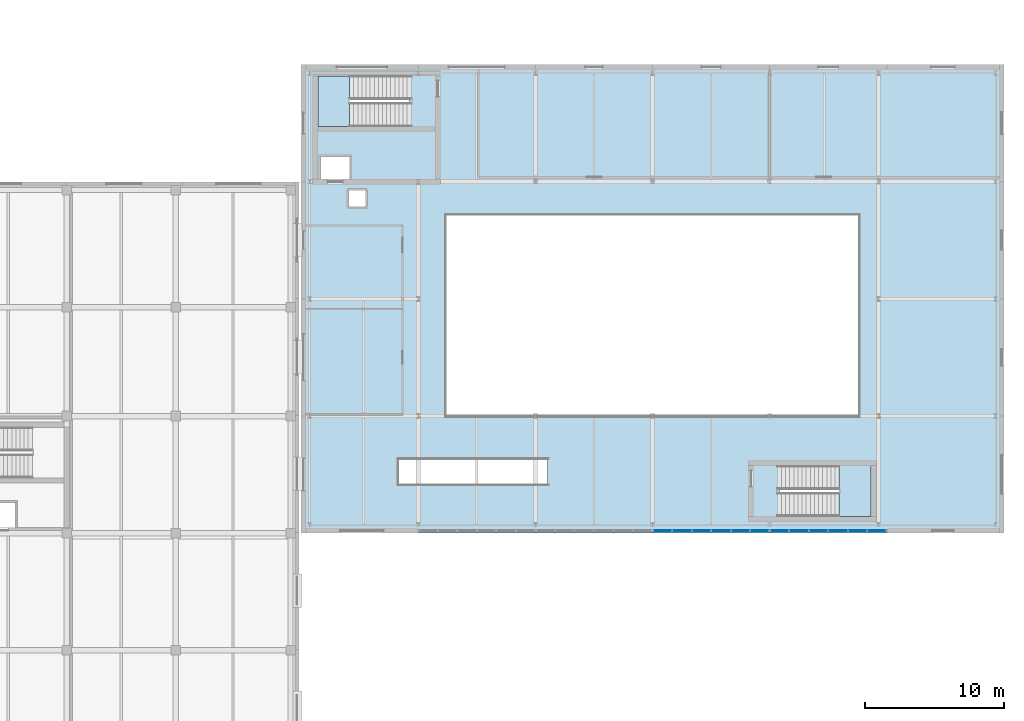
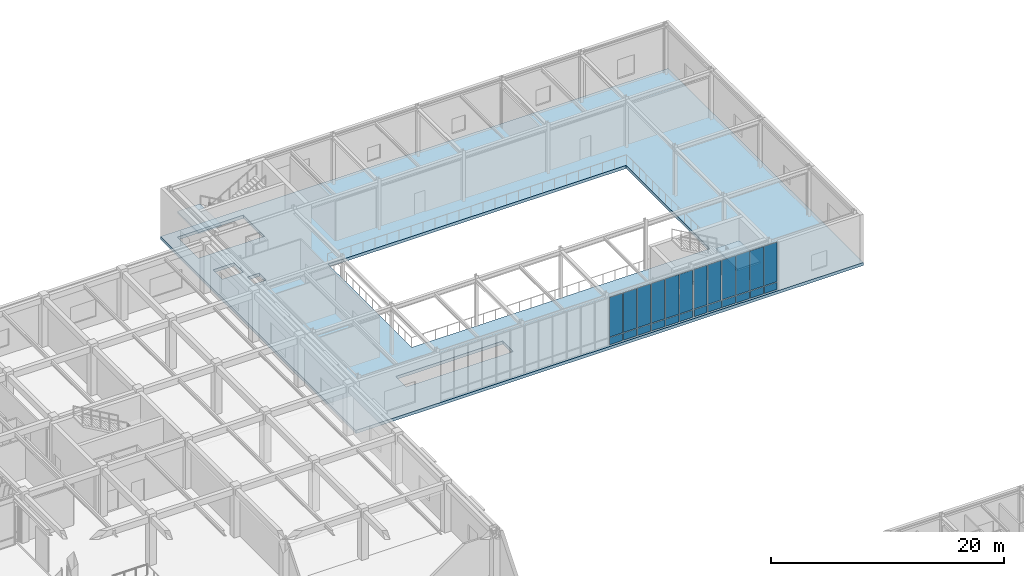
# One storey, part 100 of 139: 24 plates, 3 slabs, 4 elements without a shape of their own.
"""IFC4 building model written with IfcOpenShell, lengths in metres."""

from ifc_helpers import new_model, si_unit, direction, frame, origin, origin_2d, place, context, subcontext, project, spatial, polyline, rectangle, outline, extrude, material, layer, layer_set, type_object, element, aggregate, save


model = new_model("IFC4")

# Units and contexts
model_context = context("Model", 3, precision=1e-05, world=origin(), true_north=direction((0.0, 1.0)))
body_context = subcontext(model_context, "Body", "Model", "MODEL_VIEW")
ifc_project = project(units=[si_unit("LENGTHUNIT", "METRE"), si_unit("AREAUNIT", "SQUARE_METRE"), si_unit("VOLUMEUNIT", "CUBIC_METRE"), si_unit("PLANEANGLEUNIT", "RADIAN"), si_unit("MASSUNIT", "GRAM", prefix="KILO")], contexts=[model_context])

# Site, building, storey
site_placement = place(None, origin())
site = spatial("IfcSite", under=ifc_project, at=site_placement, CompositionType="ELEMENT")
building_placement = place(site_placement, origin())
building = spatial("IfcBuilding", under=site, at=building_placement, Name="Zayran Congress Hotel", CompositionType="ELEMENT")
storey_placement = place(building_placement, frame((0.0, 0.0, 5.39990234375)))
storey = spatial("IfcBuildingStorey", under=building, at=storey_placement, Name="L01", CompositionType="ELEMENT", Elevation=5.39990234375)

# Slab
ifc_material_1 = material(Name="Concrete C32/40", Category="concrete")
ifc_layer_1 = layer(ifc_material_1, 0.320068359375)
ifc_layer_set_1 = layer_set([ifc_layer_1], Name="Concrete C32/40")
slab_type_1 = type_object("IfcSlabType", Name="SL-PD-320", PredefinedType="FLOOR", material=ifc_layer_set_1)
slab_1_placement = place(storey_placement, frame((0.0, 0.0, -0.31982421875)))
element("IfcSlab", 1, at=slab_1_placement, inside=storey, type_object=slab_type_1, Name="SLB-V2-L01-010", PredefinedType="FLOOR", context=body_context, shape_type="SweptSolid", body=[
    extrude(outline(polyline([(142.800048828125, 84.39990234375), (193.199951171875, 84.39990234375), (193.199951171875, 118.0), (142.800048828125, 118.0), (142.800048828125, 84.39990234375)]), holes=[polyline([(144.0, 113.56005859375), (150.56005859375, 113.56005859375), (150.56005859375, 117.199951171875), (144.0, 117.199951171875), (144.0, 113.56005859375)]), polyline([(144.199951171875, 109.800048828125), (146.300048828125, 109.800048828125), (146.300048828125, 111.39990234375), (144.199951171875, 111.39990234375), (144.199951171875, 109.800048828125)]), polyline([(177.090087890625, 85.60009765625), (183.64990234375, 85.60009765625), (183.64990234375, 89.239990234375), (177.090087890625, 89.239990234375), (177.090087890625, 85.60009765625)]), polyline([(153.199951171875, 92.800048828125), (182.800048828125, 92.800048828125), (182.800048828125, 107.199951171875), (153.199951171875, 107.199951171875), (153.199951171875, 92.800048828125)]), polyline([(149.800048828125, 87.89990234375), (160.449951171875, 87.89990234375), (160.449951171875, 89.699951171875), (149.800048828125, 89.699951171875), (149.800048828125, 87.89990234375)]), polyline([(146.199951171875, 107.800048828125), (147.419921875, 107.800048828125), (147.419921875, 108.97998046875), (146.199951171875, 108.97998046875), (146.199951171875, 107.800048828125)])]), origin(), (0.0, 0.0, 1.0), 0.31982421875),
])

# Curtain wall, plates
ifc_material_2 = material(Name="Anodised aluminium and low-E insulated glass", Category="aluminium")
ifc_layer_2 = layer(ifc_material_2, 0.179931640625)
ifc_layer_set_2 = layer_set([ifc_layer_2], Name="Anodised aluminium and low-E insulated glass")
curtain_wall_type_1 = type_object("IfcCurtainWallType", Name="CW-V2S-L01-CW-V21-8395-5080", PredefinedType="USERDEFINED", material=ifc_layer_set_2)
curtain_wall_1_placement = place(storey_placement, origin())
curtain_wall_1 = element("IfcCurtainWall", 2, at=curtain_wall_1_placement, inside=storey, type_object=curtain_wall_type_1, Name="CW-V2S-L01-4", ObjectType="CURTAIN WALL", PredefinedType="USERDEFINED")
ifc_layer_3 = layer(ifc_material_2, 0.028076171875)
ifc_layer_set_3 = layer_set([ifc_layer_3], Name="Anodised aluminium and low-E insulated glass")
plate_type_1 = type_object("IfcPlateType", Name="CWP-GL-1279-4150", PredefinedType="CURTAIN_PANEL", material=ifc_layer_set_3)
plate_1_placement = place(storey_placement, frame((177.12451171875, 84.570068359375, 0.8701171875), z_axis=(0.0, 0.0, 1.0), x_axis=(1.0, 0.0, 0.0)))
plate_1 = element("IfcPlate", 3, at=plate_1_placement, type_object=plate_type_1, Name="CW-V21 Glazed Panel 1", PredefinedType="CURTAIN_PANEL", context=body_context, shape_type="SweptSolid", body=[
    extrude(rectangle(XDim=1.279296875, YDim=0.028076171875, at=origin_2d()), origin(), (0.0, 0.0, 1.0), 4.14990234375),
])
plate_2_placement = place(storey_placement, frame((178.503662109375, 84.570068359375, 0.8701171875), z_axis=(0.0, 0.0, 1.0), x_axis=(1.0, 0.0, 0.0)))
plate_2 = element("IfcPlate", 4, at=plate_2_placement, type_object=plate_type_1, Name="CW-V21 Glazed Panel 2", PredefinedType="CURTAIN_PANEL", context=body_context, shape_type="SweptSolid", body=[
    extrude(rectangle(XDim=1.319091796875, YDim=0.028076171875, at=origin_2d()), origin(), (0.0, 0.0, 1.0), 4.14990234375),
])
plate_3_placement = place(storey_placement, frame((179.90283203125, 84.570068359375, 0.8701171875), z_axis=(0.0, 0.0, 1.0), x_axis=(1.0, 0.0, 0.0)))
plate_3 = element("IfcPlate", 5, at=plate_3_placement, type_object=plate_type_1, Name="CW-V21 Glazed Panel 3", PredefinedType="CURTAIN_PANEL", context=body_context, shape_type="SweptSolid", body=[
    extrude(rectangle(XDim=1.319091796875, YDim=0.028076171875, at=origin_2d()), origin(), (0.0, 0.0, 1.0), 4.14990234375),
])
plate_4_placement = place(storey_placement, frame((181.302001953125, 84.570068359375, 0.8701171875), z_axis=(0.0, 0.0, 1.0), x_axis=(1.0, 0.0, 0.0)))
plate_4 = element("IfcPlate", 6, at=plate_4_placement, type_object=plate_type_1, Name="CW-V21 Glazed Panel 4", PredefinedType="CURTAIN_PANEL", context=body_context, shape_type="SweptSolid", body=[
    extrude(rectangle(XDim=1.319091796875, YDim=0.028076171875, at=origin_2d()), origin(), (0.0, 0.0, 1.0), 4.14990234375),
])
plate_5_placement = place(storey_placement, frame((182.701416015625, 84.570068359375, 0.8701171875), z_axis=(0.0, 0.0, 1.0), x_axis=(1.0, 0.0, 0.0)))
plate_5 = element("IfcPlate", 7, at=plate_5_placement, type_object=plate_type_1, Name="CW-V21 Glazed Panel 5", PredefinedType="CURTAIN_PANEL", context=body_context, shape_type="SweptSolid", body=[
    extrude(rectangle(XDim=1.319091796875, YDim=0.028076171875, at=origin_2d()), origin(), (0.0, 0.0, 1.0), 4.14990234375),
])
plate_6_placement = place(storey_placement, frame((184.080322265625, 84.570068359375, 0.8701171875), z_axis=(0.0, 0.0, 1.0), x_axis=(1.0, 0.0, 0.0)))
plate_6 = element("IfcPlate", 8, at=plate_6_placement, type_object=plate_type_1, Name="CW-V21 Glazed Panel 6", PredefinedType="CURTAIN_PANEL", context=body_context, shape_type="SweptSolid", body=[
    extrude(rectangle(XDim=1.279296875, YDim=0.028076171875, at=origin_2d()), origin(), (0.0, 0.0, 1.0), 4.14990234375),
])
ifc_material_3 = material(Name="Insulated warm bronze aluminium spandrel panel", Category="aluminium")
ifc_layer_4 = layer(ifc_material_3, 0.06005859375)
ifc_layer_set_4 = layer_set([ifc_layer_4], Name="Insulated warm bronze aluminium spandrel panel")
plate_type_2 = type_object("IfcPlateType", Name="CWP-SP-1279-750", PredefinedType="CURTAIN_PANEL", material=ifc_layer_set_4)
plate_7_placement = place(storey_placement, frame((177.12451171875, 84.570068359375, 0.06005859375), z_axis=(0.0, 0.0, 1.0), x_axis=(1.0, 0.0, 0.0)))
plate_7 = element("IfcPlate", 9, at=plate_7_placement, type_object=plate_type_2, Name="CW-V21 Spandrel Panel 1", PredefinedType="CURTAIN_PANEL", context=body_context, shape_type="SweptSolid", body=[
    extrude(rectangle(XDim=1.279296875, YDim=0.06005859375, at=origin_2d()), origin(), (0.0, 0.0, 1.0), 0.75),
])
plate_8_placement = place(storey_placement, frame((178.503662109375, 84.570068359375, 0.06005859375), z_axis=(0.0, 0.0, 1.0), x_axis=(1.0, 0.0, 0.0)))
plate_8 = element("IfcPlate", 10, at=plate_8_placement, type_object=plate_type_2, Name="CW-V21 Spandrel Panel 2", PredefinedType="CURTAIN_PANEL", context=body_context, shape_type="SweptSolid", body=[
    extrude(rectangle(XDim=1.319091796875, YDim=0.06005859375, at=origin_2d()), origin(), (0.0, 0.0, 1.0), 0.75),
])
plate_9_placement = place(storey_placement, frame((179.90283203125, 84.570068359375, 0.06005859375), z_axis=(0.0, 0.0, 1.0), x_axis=(1.0, 0.0, 0.0)))
plate_9 = element("IfcPlate", 11, at=plate_9_placement, type_object=plate_type_2, Name="CW-V21 Spandrel Panel 3", PredefinedType="CURTAIN_PANEL", context=body_context, shape_type="SweptSolid", body=[
    extrude(rectangle(XDim=1.319091796875, YDim=0.06005859375, at=origin_2d()), origin(), (0.0, 0.0, 1.0), 0.75),
])
plate_10_placement = place(storey_placement, frame((181.302001953125, 84.570068359375, 0.06005859375), z_axis=(0.0, 0.0, 1.0), x_axis=(1.0, 0.0, 0.0)))
plate_10 = element("IfcPlate", 12, at=plate_10_placement, type_object=plate_type_2, Name="CW-V21 Spandrel Panel 4", PredefinedType="CURTAIN_PANEL", context=body_context, shape_type="SweptSolid", body=[
    extrude(rectangle(XDim=1.319091796875, YDim=0.06005859375, at=origin_2d()), origin(), (0.0, 0.0, 1.0), 0.75),
])
plate_11_placement = place(storey_placement, frame((182.701416015625, 84.570068359375, 0.06005859375), z_axis=(0.0, 0.0, 1.0), x_axis=(1.0, 0.0, 0.0)))
plate_11 = element("IfcPlate", 13, at=plate_11_placement, type_object=plate_type_2, Name="CW-V21 Spandrel Panel 5", PredefinedType="CURTAIN_PANEL", context=body_context, shape_type="SweptSolid", body=[
    extrude(rectangle(XDim=1.319091796875, YDim=0.06005859375, at=origin_2d()), origin(), (0.0, 0.0, 1.0), 0.75),
])
plate_12_placement = place(storey_placement, frame((184.080322265625, 84.570068359375, 0.06005859375), z_axis=(0.0, 0.0, 1.0), x_axis=(1.0, 0.0, 0.0)))
plate_12 = element("IfcPlate", 14, at=plate_12_placement, type_object=plate_type_2, Name="CW-V21 Spandrel Panel 6", PredefinedType="CURTAIN_PANEL", context=body_context, shape_type="SweptSolid", body=[
    extrude(rectangle(XDim=1.279296875, YDim=0.06005859375, at=origin_2d()), origin(), (0.0, 0.0, 1.0), 0.75),
])
aggregate(curtain_wall_1, [plate_7, plate_1, plate_8, plate_2, plate_9, plate_3, plate_10, plate_4, plate_11, plate_5, plate_12, plate_6])

ifc_layer_5 = layer(ifc_material_2, 0.179931640625)
ifc_layer_set_5 = layer_set([ifc_layer_5], Name="Anodised aluminium and low-E insulated glass")
curtain_wall_type_2 = type_object("IfcCurtainWallType", Name="CW-V2S-L01-CW-V22-8390-5080", PredefinedType="USERDEFINED", material=ifc_layer_set_5)
curtain_wall_2_placement = place(storey_placement, origin())
curtain_wall_2 = element("IfcCurtainWall", 15, at=curtain_wall_2_placement, inside=storey, type_object=curtain_wall_type_2, Name="CW-V2S-L01-3", ObjectType="CURTAIN WALL", PredefinedType="USERDEFINED")
ifc_layer_6 = layer(ifc_material_2, 0.028076171875)
ifc_layer_set_6 = layer_set([ifc_layer_6], Name="Anodised aluminium and low-E insulated glass")
plate_type_3 = type_object("IfcPlateType", Name="CWP-GL-1278-4150", PredefinedType="CURTAIN_PANEL", material=ifc_layer_set_6)
plate_13_placement = place(storey_placement, frame((168.72412109375, 84.570068359375, 0.8701171875), z_axis=(0.0, 0.0, 1.0), x_axis=(1.0, 0.0, 0.0)))
plate_13 = element("IfcPlate", 16, at=plate_13_placement, type_object=plate_type_3, Name="CW-V22 Glazed Panel 1", PredefinedType="CURTAIN_PANEL", context=body_context, shape_type="SweptSolid", body=[
    extrude(rectangle(XDim=1.2783203125, YDim=0.028076171875, at=origin_2d()), origin(), (0.0, 0.0, 1.0), 4.14990234375),
])
plate_14_placement = place(storey_placement, frame((170.1025390625, 84.570068359375, 0.8701171875), z_axis=(0.0, 0.0, 1.0), x_axis=(1.0, 0.0, 0.0)))
plate_14 = element("IfcPlate", 17, at=plate_14_placement, type_object=plate_type_3, Name="CW-V22 Glazed Panel 2", PredefinedType="CURTAIN_PANEL", context=body_context, shape_type="SweptSolid", body=[
    extrude(rectangle(XDim=1.318359375, YDim=0.028076171875, at=origin_2d()), origin(), (0.0, 0.0, 1.0), 4.14990234375),
])
plate_15_placement = place(storey_placement, frame((171.500732421875, 84.570068359375, 0.8701171875), z_axis=(0.0, 0.0, 1.0), x_axis=(1.0, 0.0, 0.0)))
plate_15 = element("IfcPlate", 18, at=plate_15_placement, type_object=plate_type_3, Name="CW-V22 Glazed Panel 3", PredefinedType="CURTAIN_PANEL", context=body_context, shape_type="SweptSolid", body=[
    extrude(rectangle(XDim=1.318359375, YDim=0.028076171875, at=origin_2d()), origin(), (0.0, 0.0, 1.0), 4.14990234375),
])
plate_16_placement = place(storey_placement, frame((172.899169921875, 84.570068359375, 0.8701171875), z_axis=(0.0, 0.0, 1.0), x_axis=(1.0, 0.0, 0.0)))
plate_16 = element("IfcPlate", 19, at=plate_16_placement, type_object=plate_type_3, Name="CW-V22 Glazed Panel 4", PredefinedType="CURTAIN_PANEL", context=body_context, shape_type="SweptSolid", body=[
    extrude(rectangle(XDim=1.318359375, YDim=0.028076171875, at=origin_2d()), origin(), (0.0, 0.0, 1.0), 4.14990234375),
])
plate_17_placement = place(storey_placement, frame((174.297607421875, 84.570068359375, 0.8701171875), z_axis=(0.0, 0.0, 1.0), x_axis=(1.0, 0.0, 0.0)))
plate_17 = element("IfcPlate", 20, at=plate_17_placement, type_object=plate_type_3, Name="CW-V22 Glazed Panel 5", PredefinedType="CURTAIN_PANEL", context=body_context, shape_type="SweptSolid", body=[
    extrude(rectangle(XDim=1.318359375, YDim=0.028076171875, at=origin_2d()), origin(), (0.0, 0.0, 1.0), 4.14990234375),
])
plate_18_placement = place(storey_placement, frame((175.67578125, 84.570068359375, 0.8701171875), z_axis=(0.0, 0.0, 1.0), x_axis=(1.0, 0.0, 0.0)))
plate_18 = element("IfcPlate", 21, at=plate_18_placement, type_object=plate_type_3, Name="CW-V22 Glazed Panel 6", PredefinedType="CURTAIN_PANEL", context=body_context, shape_type="SweptSolid", body=[
    extrude(rectangle(XDim=1.2783203125, YDim=0.028076171875, at=origin_2d()), origin(), (0.0, 0.0, 1.0), 4.14990234375),
])
ifc_layer_7 = layer(ifc_material_3, 0.06005859375)
ifc_layer_set_7 = layer_set([ifc_layer_7], Name="Insulated warm bronze aluminium spandrel panel")
plate_type_4 = type_object("IfcPlateType", Name="CWP-SP-1278-750", PredefinedType="CURTAIN_PANEL", material=ifc_layer_set_7)
plate_19_placement = place(storey_placement, frame((168.72412109375, 84.570068359375, 0.06005859375), z_axis=(0.0, 0.0, 1.0), x_axis=(1.0, 0.0, 0.0)))
plate_19 = element("IfcPlate", 22, at=plate_19_placement, type_object=plate_type_4, Name="CW-V22 Spandrel Panel 1", PredefinedType="CURTAIN_PANEL", context=body_context, shape_type="SweptSolid", body=[
    extrude(rectangle(XDim=1.2783203125, YDim=0.06005859375, at=origin_2d()), origin(), (0.0, 0.0, 1.0), 0.75),
])
plate_20_placement = place(storey_placement, frame((170.1025390625, 84.570068359375, 0.06005859375), z_axis=(0.0, 0.0, 1.0), x_axis=(1.0, 0.0, 0.0)))
plate_20 = element("IfcPlate", 23, at=plate_20_placement, type_object=plate_type_4, Name="CW-V22 Spandrel Panel 2", PredefinedType="CURTAIN_PANEL", context=body_context, shape_type="SweptSolid", body=[
    extrude(rectangle(XDim=1.318359375, YDim=0.06005859375, at=origin_2d()), origin(), (0.0, 0.0, 1.0), 0.75),
])
plate_21_placement = place(storey_placement, frame((171.500732421875, 84.570068359375, 0.06005859375), z_axis=(0.0, 0.0, 1.0), x_axis=(1.0, 0.0, 0.0)))
plate_21 = element("IfcPlate", 24, at=plate_21_placement, type_object=plate_type_4, Name="CW-V22 Spandrel Panel 3", PredefinedType="CURTAIN_PANEL", context=body_context, shape_type="SweptSolid", body=[
    extrude(rectangle(XDim=1.318359375, YDim=0.06005859375, at=origin_2d()), origin(), (0.0, 0.0, 1.0), 0.75),
])
plate_22_placement = place(storey_placement, frame((172.899169921875, 84.570068359375, 0.06005859375), z_axis=(0.0, 0.0, 1.0), x_axis=(1.0, 0.0, 0.0)))
plate_22 = element("IfcPlate", 25, at=plate_22_placement, type_object=plate_type_4, Name="CW-V22 Spandrel Panel 4", PredefinedType="CURTAIN_PANEL", context=body_context, shape_type="SweptSolid", body=[
    extrude(rectangle(XDim=1.318359375, YDim=0.06005859375, at=origin_2d()), origin(), (0.0, 0.0, 1.0), 0.75),
])
plate_23_placement = place(storey_placement, frame((174.297607421875, 84.570068359375, 0.06005859375), z_axis=(0.0, 0.0, 1.0), x_axis=(1.0, 0.0, 0.0)))
plate_23 = element("IfcPlate", 26, at=plate_23_placement, type_object=plate_type_4, Name="CW-V22 Spandrel Panel 5", PredefinedType="CURTAIN_PANEL", context=body_context, shape_type="SweptSolid", body=[
    extrude(rectangle(XDim=1.318359375, YDim=0.06005859375, at=origin_2d()), origin(), (0.0, 0.0, 1.0), 0.75),
])
plate_24_placement = place(storey_placement, frame((175.67578125, 84.570068359375, 0.06005859375), z_axis=(0.0, 0.0, 1.0), x_axis=(1.0, 0.0, 0.0)))
plate_24 = element("IfcPlate", 27, at=plate_24_placement, type_object=plate_type_4, Name="CW-V22 Spandrel Panel 6", PredefinedType="CURTAIN_PANEL", context=body_context, shape_type="SweptSolid", body=[
    extrude(rectangle(XDim=1.2783203125, YDim=0.06005859375, at=origin_2d()), origin(), (0.0, 0.0, 1.0), 0.75),
])
aggregate(curtain_wall_2, [plate_19, plate_13, plate_20, plate_14, plate_21, plate_15, plate_22, plate_16, plate_23, plate_17, plate_24, plate_18])

# Stair, slab
stair_type = type_object("IfcStairType", Name="TP-STR-1700-54", PredefinedType="USERDEFINED", material=ifc_material_1)
stair_1_placement = place(storey_placement, origin())
stair_1 = element("IfcStair", 28, at=stair_1_placement, inside=storey, type_object=stair_type, Name="L01 ST-09", ObjectType="TWO_RETURN_STAIR", PredefinedType="USERDEFINED")
ifc_layer_8 = layer(ifc_material_1, 0.199951171875)
ifc_layer_set_8 = layer_set([ifc_layer_8], Name="Concrete C32/40")
slab_type_2 = type_object("IfcSlabType", Name="TP-LND-1700", PredefinedType="LANDING", material=ifc_layer_set_8)
slab_2_placement = place(storey_placement, frame((0.0, 0.0, 2.5)))
slab_2 = element("IfcSlab", 29, at=slab_2_placement, type_object=slab_type_2, Name="ST-09 landing 1", PredefinedType="LANDING", context=body_context, shape_type="SweptSolid", body=[
    extrude(outline(polyline([(146.27490234375, 117.199951171875), (144.0, 117.199951171875), (144.0, 113.56005859375), (146.27490234375, 113.56005859375), (146.27490234375, 117.199951171875)])), origin(), (0.0, 0.0, 1.0), 0.2001953125),
])
aggregate(stair_1, [slab_2])

stair_2_placement = place(storey_placement, origin())
stair_2 = element("IfcStair", 30, at=stair_2_placement, inside=storey, type_object=stair_type, Name="L01 ST-10", ObjectType="TWO_RETURN_STAIR", PredefinedType="USERDEFINED")
slab_3_placement = place(storey_placement, frame((0.0, 0.0, 2.5)))
slab_3 = element("IfcSlab", 31, at=slab_3_placement, type_object=slab_type_2, Name="ST-10 landing 1", PredefinedType="LANDING", context=body_context, shape_type="SweptSolid", body=[
    extrude(outline(polyline([(181.375, 85.60009765625), (183.64990234375, 85.60009765625), (183.64990234375, 89.239990234375), (181.375, 89.239990234375), (181.375, 85.60009765625)])), origin(), (0.0, 0.0, 1.0), 0.2001953125),
])
aggregate(stair_2, [slab_3])

save(model, "model.ifc")
